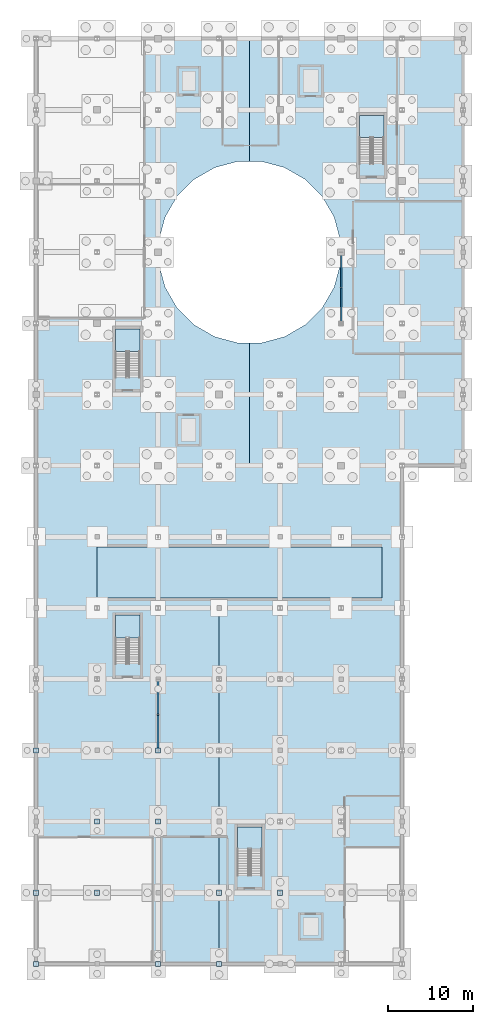
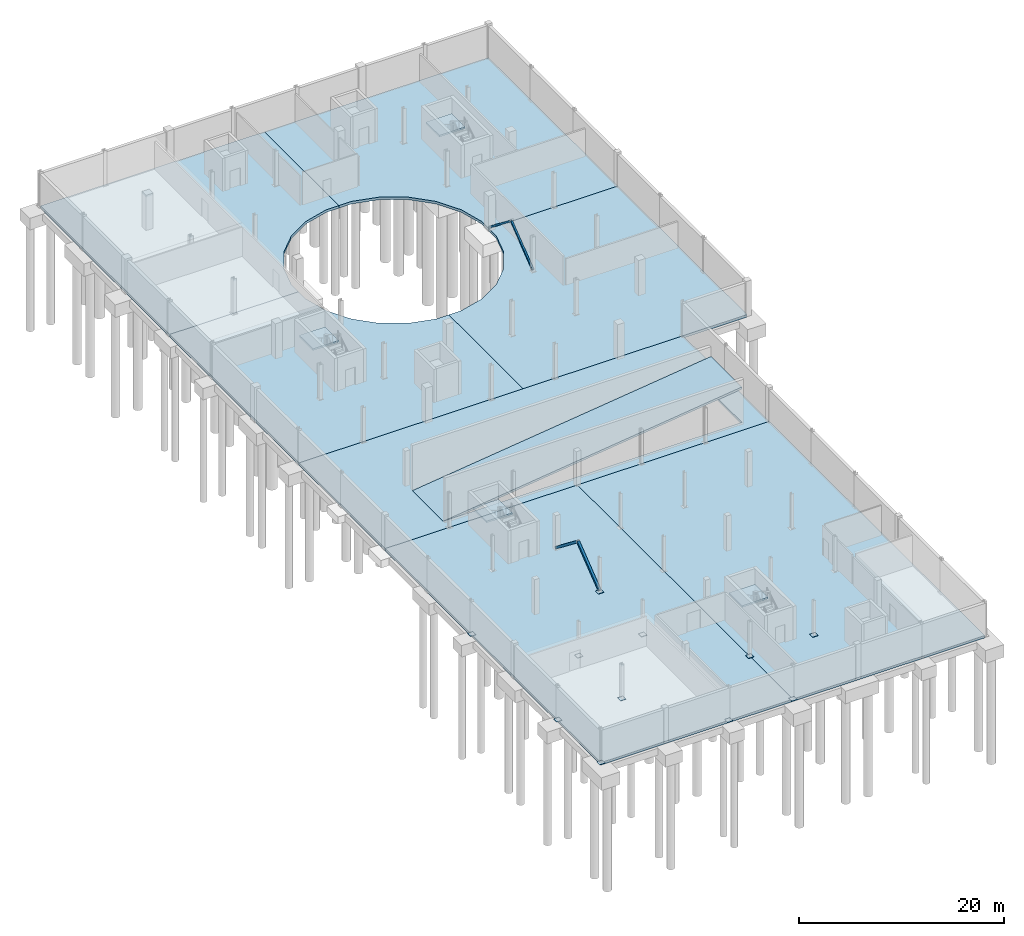
# One storey, part 15 of 32: 12 slabs, 11 plates, 4 members, 4 elements without a shape of their own.
"""IFC4 building model written with IfcOpenShell, lengths in metres."""

from ifc_helpers import new_model, si_unit, direction, frame, origin, origin_2d, place, context, subcontext, project, spatial, polyline, rectangle, hollow_rectangle, outline, extrude, material, layer, layer_set, material_profile, profile_set, type_object, element, aggregate, save


model = new_model("IFC4")

# Units and contexts
model_context = context("Model", 3, precision=1e-05, world=origin(), true_north=direction((0.0, 1.0)))
body_context = subcontext(model_context, "Body", "Model", "MODEL_VIEW")
ifc_project = project(units=[si_unit("LENGTHUNIT", "METRE"), si_unit("AREAUNIT", "SQUARE_METRE"), si_unit("VOLUMEUNIT", "CUBIC_METRE"), si_unit("PLANEANGLEUNIT", "RADIAN"), si_unit("MASSUNIT", "GRAM", prefix="KILO")], contexts=[model_context])

# Site, building, storey
site_placement = place(None, origin())
site = spatial("IfcSite", under=ifc_project, at=site_placement, CompositionType="ELEMENT")
building_placement = place(site_placement, origin())
building = spatial("IfcBuilding", under=site, at=building_placement, Name="Qelthora Terrace Specialist Clinic", CompositionType="ELEMENT")
storey_placement = place(building_placement, frame((0.0, 0.0, -4.199951171875)))
storey = spatial("IfcBuildingStorey", under=building, at=storey_placement, Name="B1", CompositionType="ELEMENT", Elevation=-4.199951171875)

# Members
ifc_material_1 = material(Name="Steel S355", Category="steel")
ifc_material_profile_1 = material_profile(ifc_material_1, hollow_rectangle(XDim=0.179931640625, YDim=0.179931640625, WallThickness=0.010009765625, at=origin_2d()), Name="HSS180X180X10")
ifc_profile_set_1 = profile_set([ifc_material_profile_1], Name="Steel S355")
member_type_1 = type_object("IfcMemberType", Name="MEM-BRACE-HSS180", PredefinedType="BRACE", material=ifc_profile_set_1)
for number, where, z_axis, x_axis, name in (
    (1, (36.0, 75.60009765625, 0.179931640625), (0.0, 0.789043399971, 0.614337458537), (-1.0, 0.0, 0.0), "Concentric seismic chevron brace B10-B1A"),
    (2, (36.0, 84.0, 0.179931640625), (0.0, -0.789043399971, 0.614337458537), (1.0, 0.0, 0.0), "Concentric seismic chevron brace B10-B1B"),
):
    element("IfcMember", number, at=place(storey_placement, frame(where, z_axis=z_axis, x_axis=x_axis)), inside=storey, type_object=member_type_1, Name=name, PredefinedType="BRACE", context=body_context, shape_type="SweptSolid", body=[
        extrude(hollow_rectangle(XDim=0.179931640625, YDim=0.179931640625, WallThickness=0.010009765625, at=origin_2d()), origin(), (0.0, 0.0, 1.0), 5.32275390625),
    ])
ifc_material_profile_2 = material_profile(ifc_material_1, hollow_rectangle(XDim=0.25, YDim=0.25, WallThickness=0.010009765625, at=origin_2d()), Name="HSS250X250X10")
ifc_profile_set_2 = profile_set([ifc_material_profile_2], Name="Steel S355")
member_type_2 = type_object("IfcMemberType", Name="MEM-BRACE-HSS250", PredefinedType="BRACE", material=ifc_profile_set_2)
member_1_placement = place(storey_placement, frame((14.39990234375, 25.199951171875, 0.179931640625), z_axis=(0.0, 0.789043399971, 0.614337458537), x_axis=(-1.0, 0.0, 0.0)))
element("IfcMember", 3, at=member_1_placement, inside=storey, type_object=member_type_2, Name="Concentric seismic chevron brace B9-B1A", PredefinedType="BRACE", context=body_context, shape_type="SweptSolid", body=[
    extrude(hollow_rectangle(XDim=0.25, YDim=0.25, WallThickness=0.010009765625, at=origin_2d()), origin(), (0.0, 0.0, 1.0), 5.32275390625),
])
member_2_placement = place(storey_placement, frame((14.39990234375, 33.60009765625, 0.179931640625), z_axis=(0.0, -0.789060709575, 0.614315225764), x_axis=(1.0, 0.0, 0.0)))
element("IfcMember", 4, at=member_2_placement, inside=storey, type_object=member_type_2, Name="Concentric seismic chevron brace B9-B1B", PredefinedType="BRACE", context=body_context, shape_type="SweptSolid", body=[
    extrude(hollow_rectangle(XDim=0.25, YDim=0.25, WallThickness=0.010009765625, at=origin_2d()), origin(), (0.0, 0.0, 1.0), 5.322998046875),
])

# Plates
ifc_layer_1 = layer(ifc_material_1, 0.030029296875)
ifc_layer_set_1 = layer_set([ifc_layer_1], Name="Steel S355")
plate_type = type_object("IfcPlateType", Name="PLT-BASE-600X600X30", PredefinedType="USERDEFINED", material=ifc_layer_set_1)
for number, where, z_axis, x_axis, name in (
    (5, (0.0, 0.0, 0.0), (0.0, 0.0, 1.0), (1.0, 0.0, 0.0), "Steel column base plate BPLT-001"),
    (6, (0.0, 8.39990234375, 0.0), (0.0, 0.0, 1.0), (1.0, 0.0, 0.0), "Steel column base plate BPLT-002"),
    (7, (0.0, 25.199951171875, 0.0), (0.0, 0.0, 1.0), (1.0, 0.0, 0.0), "Steel column base plate BPLT-003"),
    (8, (7.199951171875, 8.39990234375, 0.0), (0.0, 0.0, 1.0), (1.0, 0.0, 0.0), "Steel column base plate BPLT-011"),
    (9, (7.199951171875, 16.800048828125, 0.0), (0.0, 0.0, 1.0), (1.0, 0.0, 0.0), "Steel column base plate BPLT-012"),
    (10, (14.39990234375, 0.0, 0.0), (0.0, 0.0, 1.0), (1.0, 0.0, 0.0), "Steel column base plate BPLT-020"),
    (11, (14.39990234375, 16.800048828125, 0.0), (0.0, 0.0, 1.0), (1.0, 0.0, 0.0), "Steel column base plate BPLT-021"),
    (12, (14.39990234375, 25.199951171875, 0.0), (0.0, 0.0, 1.0), (1.0, 0.0, 0.0), "Steel column base plate BPLT-022"),
    (13, (21.60009765625, 0.0, 0.0), (0.0, 0.0, 1.0), (1.0, 0.0, 0.0), "Steel column base plate BPLT-029"),
    (14, (21.60009765625, 8.39990234375, 0.0), (0.0, 0.0, 1.0), (1.0, 0.0, 0.0), "Steel column base plate BPLT-030"),
    (15, (28.800048828125, 8.39990234375, 0.0), (0.0, 0.0, 1.0), (1.0, 0.0, 0.0), "Steel column base plate BPLT-037"),
):
    element("IfcPlate", number, at=place(storey_placement, frame(where, z_axis=z_axis, x_axis=x_axis)), inside=storey, type_object=plate_type, Name=name, ObjectType="GUSSET PLATE", PredefinedType="USERDEFINED", context=body_context, shape_type="SweptSolid", body=[
        extrude(rectangle(XDim=0.60009765625, YDim=0.60009765625, at=origin_2d()), origin(), (0.0, 0.0, 1.0), 0.030029296875),
    ])

# Slabs
ifc_material_2 = material(Name="Concrete C30/37", Category="concrete")
ifc_layer_2 = layer(ifc_material_2, 0.280029296875)
ifc_layer_set_2 = layer_set([ifc_layer_2], Name="Concrete C30/37")
slab_type_1 = type_object("IfcSlabType", Name="SLB-BASE-280-C30", PredefinedType="BASESLAB", material=ifc_layer_set_2)
slab_1_placement = place(storey_placement, frame((0.0, 0.0, -0.280029296875)))
element("IfcSlab", 16, at=slab_1_placement, inside=storey, type_object=slab_type_1, Name="B1 V2 slab SLB-B1-V2A", PredefinedType="BASESLAB", context=body_context, shape_type="SweptSolid", body=[
    extrude(outline(polyline([(0.0, 0.0), (0.0, 42.0), (21.60009765625, 42.0), (21.60009765625, 0.0), (0.0, 0.0)])), origin(), (0.0, 0.0, 1.0), 0.280029296875),
])
slab_2_placement = place(storey_placement, frame((0.0, 0.0, -0.280029296875)))
element("IfcSlab", 17, at=slab_2_placement, inside=storey, type_object=slab_type_1, Name="B1 V2 slab SLB-B1-V2B", PredefinedType="BASESLAB", context=body_context, shape_type="SweptSolid", body=[
    extrude(outline(polyline([(21.60009765625, 0.0), (21.60009765625, 42.0), (43.199951171875, 42.0), (43.199951171875, 0.0), (21.60009765625, 0.0)])), origin(), (0.0, 0.0, 1.0), 0.280029296875),
])
slab_3_placement = place(storey_placement, frame((0.0, 0.0, -0.280029296875)))
element("IfcSlab", 18, at=slab_3_placement, inside=storey, type_object=slab_type_1, Name="B1 V2 slab SLB-B1-CAR", PredefinedType="BASESLAB", context=body_context, shape_type="SweptSolid", body=[
    extrude(outline(polyline([(0.0, 42.0), (0.0, 58.800048828125), (43.199951171875, 58.800048828125), (43.199951171875, 42.0), (0.0, 42.0)]), holes=[polyline([(7.199951171875, 43.199951171875), (40.800048828125, 43.199951171875), (40.800048828125, 49.199951171875), (7.199951171875, 49.199951171875), (7.199951171875, 43.199951171875)])]), origin(), (0.0, 0.0, 1.0), 0.280029296875),
])
ifc_layer_3 = layer(ifc_material_2, 0.300048828125)
ifc_layer_set_3 = layer_set([ifc_layer_3], Name="Concrete C30/37")
slab_type_2 = type_object("IfcSlabType", Name="SLB-BASE-300-C30", PredefinedType="BASESLAB", material=ifc_layer_set_3)
slab_4_placement = place(storey_placement, frame((0.0, 0.0, -0.300048828125)))
element("IfcSlab", 19, at=slab_4_placement, inside=storey, type_object=slab_type_2, Name="B1 V5 slab SLB-B1-V5-1A", PredefinedType="BASESLAB", context=body_context, shape_type="SweptSolid", body=[
    extrude(outline(polyline([(25.199951171875, 58.800048828125), (0.0, 58.800048828125), (0.0, 84.0), (14.492431640625, 84.0), (14.492431640625, 82.59033203125), (15.22216796875, 79.866943359375), (16.6318359375, 77.42529296875), (18.62548828125, 75.431884765625), (21.067138671875, 74.022216796875), (23.790283203125, 73.29248046875), (25.199951171875, 73.29248046875), (25.199951171875, 58.800048828125)])), origin(), (0.0, 0.0, 1.0), 0.300048828125),
])
slab_5_placement = place(storey_placement, frame((0.0, 0.0, -0.300048828125)))
element("IfcSlab", 20, at=slab_5_placement, inside=storey, type_object=slab_type_2, Name="B1 V5 slab SLB-B1-V5-2A", PredefinedType="BASESLAB", context=body_context, shape_type="SweptSolid", body=[
    extrude(outline(polyline([(50.39990234375, 84.0), (50.39990234375, 58.800048828125), (25.199951171875, 58.800048828125), (25.199951171875, 73.29248046875), (26.609619140625, 73.29248046875), (29.3330078125, 74.022216796875), (31.774658203125, 75.431884765625), (33.768310546875, 77.42529296875), (35.177978515625, 79.866943359375), (35.90771484375, 82.59033203125), (35.90771484375, 84.0), (50.39990234375, 84.0)])), origin(), (0.0, 0.0, 1.0), 0.300048828125),
])
slab_6_placement = place(storey_placement, frame((0.0, 0.0, -0.300048828125)))
element("IfcSlab", 21, at=slab_6_placement, inside=storey, type_object=slab_type_2, Name="B1 V5 slab SLB-B1-V5-3A", PredefinedType="BASESLAB", context=body_context, shape_type="SweptSolid", body=[
    extrude(outline(polyline([(0.0, 84.0), (0.0, 109.199951171875), (25.199951171875, 109.199951171875), (25.199951171875, 94.70751953125), (23.790283203125, 94.70751953125), (21.067138671875, 93.977783203125), (18.62548828125, 92.568115234375), (16.6318359375, 90.57470703125), (15.22216796875, 88.133056640625), (14.492431640625, 85.40966796875), (14.492431640625, 84.0), (0.0, 84.0)])), origin(), (0.0, 0.0, 1.0), 0.300048828125),
])
slab_7_placement = place(storey_placement, frame((0.0, 0.0, -0.300048828125)))
element("IfcSlab", 22, at=slab_7_placement, inside=storey, type_object=slab_type_2, Name="B1 V5 slab SLB-B1-V5-4A", PredefinedType="BASESLAB", context=body_context, shape_type="SweptSolid", body=[
    extrude(outline(polyline([(25.199951171875, 109.199951171875), (50.39990234375, 109.199951171875), (50.39990234375, 84.0), (35.90771484375, 84.0), (35.90771484375, 85.40966796875), (35.177978515625, 88.133056640625), (33.768310546875, 90.57470703125), (31.774658203125, 92.568115234375), (29.3330078125, 93.977783203125), (26.609619140625, 94.70751953125), (25.199951171875, 94.70751953125), (25.199951171875, 109.199951171875)])), origin(), (0.0, 0.0, 1.0), 0.300048828125),
])

# Stair, slab
stair_type_1 = type_object("IfcStairType", Name="STR-175-280", PredefinedType="HALF_TURN_STAIR", material=ifc_material_2)
stair_1_placement = place(storey_placement, origin())
stair_1 = element("IfcStair", 23, at=stair_1_placement, inside=storey, type_object=stair_type_1, Name="B1 Enclosed Exit Stair ST-01", PredefinedType="HALF_TURN_STAIR")
ifc_layer_4 = layer(ifc_material_2, 0.199951171875)
ifc_layer_set_4 = layer_set([ifc_layer_4], Name="Concrete C30/37")
slab_type_3 = type_object("IfcSlabType", Name="SLB-LAND-200-C30", PredefinedType="LANDING", material=ifc_layer_set_4)
slab_8_placement = place(storey_placement, frame((0.0, 0.0, 1.89990234375)))
slab_8 = element("IfcSlab", 24, at=slab_8_placement, type_object=slab_type_3, Name="ST-01 landing 1", PredefinedType="LANDING", context=body_context, shape_type="SweptSolid", body=[
    extrude(outline(polyline([(12.25, 72.280029296875), (12.25, 74.949951171875), (9.35009765625, 74.949951171875), (9.35009765625, 72.280029296875), (12.25, 72.280029296875)])), origin(), (0.0, 0.0, 1.0), 0.199951171875),
])
aggregate(stair_1, [slab_8])

stair_type_2 = type_object("IfcStairType", Name="STR-175-285", PredefinedType="HALF_TURN_STAIR", material=ifc_material_2)
stair_2_placement = place(storey_placement, origin())
stair_2 = element("IfcStair", 25, at=stair_2_placement, inside=storey, type_object=stair_type_2, Name="B1 Enclosed Exit Stair ST-02", PredefinedType="HALF_TURN_STAIR")
slab_9_placement = place(storey_placement, frame((0.0, 0.0, 1.89990234375)))
slab_9 = element("IfcSlab", 26, at=slab_9_placement, type_object=slab_type_3, Name="ST-02 landing 1", PredefinedType="LANDING", context=body_context, shape_type="SweptSolid", body=[
    extrude(outline(polyline([(41.050048828125, 97.534912109375), (41.050048828125, 100.14990234375), (38.14990234375, 100.14990234375), (38.14990234375, 97.534912109375), (41.050048828125, 97.534912109375)])), origin(), (0.0, 0.0, 1.0), 0.199951171875),
])
aggregate(stair_2, [slab_9])

stair_type_3 = type_object("IfcStairType", Name="STR-175-290", PredefinedType="HALF_TURN_STAIR", material=ifc_material_2)
stair_3_placement = place(storey_placement, origin())
stair_3 = element("IfcStair", 27, at=stair_3_placement, inside=storey, type_object=stair_type_3, Name="B1 Enclosed Exit Stair ST-03", PredefinedType="HALF_TURN_STAIR")
slab_10_placement = place(storey_placement, frame((0.0, 0.0, 1.89990234375)))
slab_10 = element("IfcSlab", 28, at=slab_10_placement, type_object=slab_type_3, Name="ST-03 landing 1", PredefinedType="LANDING", context=body_context, shape_type="SweptSolid", body=[
    extrude(outline(polyline([(26.64990234375, 13.590087890625), (26.64990234375, 16.14990234375), (23.75, 16.14990234375), (23.75, 13.590087890625), (26.64990234375, 13.590087890625)])), origin(), (0.0, 0.0, 1.0), 0.199951171875),
])
aggregate(stair_3, [slab_10])

stair_4_placement = place(storey_placement, origin())
stair_4 = element("IfcStair", 29, at=stair_4_placement, inside=storey, type_object=stair_type_1, Name="B1 Enclosed Exit Stair ST-04", PredefinedType="HALF_TURN_STAIR")
slab_11_placement = place(storey_placement, frame((0.0, 0.0, 1.89990234375)))
slab_11 = element("IfcSlab", 30, at=slab_11_placement, type_object=slab_type_3, Name="ST-04 landing 1", PredefinedType="LANDING", context=body_context, shape_type="SweptSolid", body=[
    extrude(outline(polyline([(12.25, 38.47998046875), (12.25, 41.14990234375), (9.35009765625, 41.14990234375), (9.35009765625, 38.47998046875), (12.25, 38.47998046875)])), origin(), (0.0, 0.0, 1.0), 0.199951171875),
])
aggregate(stair_4, [slab_11])

# Slab
ifc_layer_5 = layer(ifc_material_2, 0.25)
ifc_layer_set_5 = layer_set([ifc_layer_5], Name="Concrete C30/37")
slab_type_4 = type_object("IfcSlabType", Name="SLB-RAMP-250-C30", PredefinedType="USERDEFINED", material=ifc_layer_set_5)
slab_12_placement = place(storey_placement, frame((7.199951171875, 43.199951171875, -0.251953125), z_axis=(-0.124032959829, 0.0, 0.992278098557), x_axis=(0.992278098557, 0.0, 0.124032959829)))
element("IfcSlab", 31, at=slab_12_placement, inside=storey, type_object=slab_type_4, Name="Car park vehicle ramp slab VR-01", ObjectType="VEHICLE RAMP", PredefinedType="USERDEFINED", context=body_context, shape_type="SweptSolid", body=[
    extrude(outline(polyline([(0.0, 0.0), (33.86157338866094, 0.0), (33.86157338866094, 6.0), (0.0, 6.0), (0.0, 0.0)])), origin(), (0.124032959829, 0.0, 0.992278098557), 0.251953125),
])

save(model, "model.ifc")
